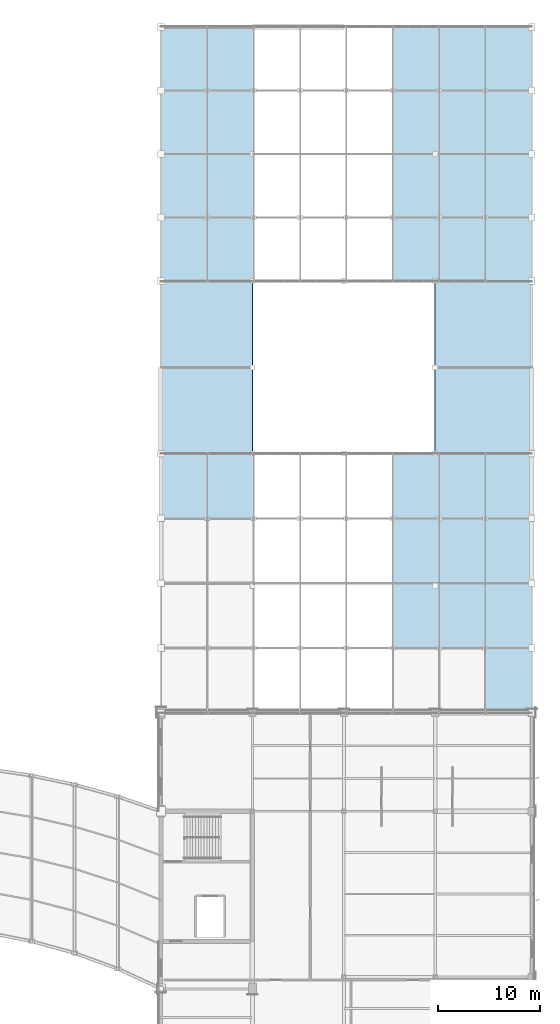
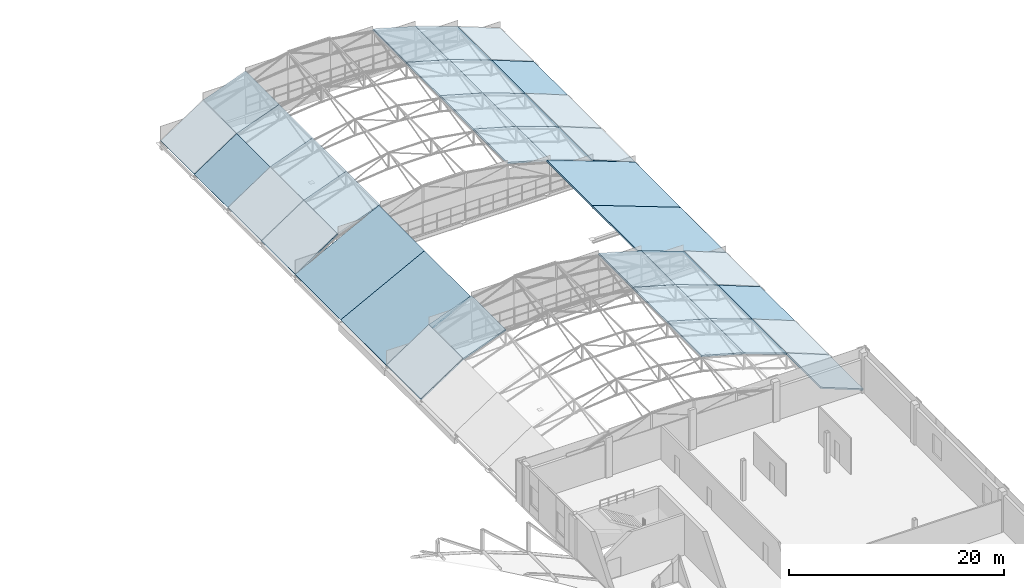
# One storey, part 87 of 101: 36 roofs.
"""IFC4 building model written with IfcOpenShell, lengths in metres."""

import ifcopenshell
import ifcopenshell.guid

model = None  # the IFC model being written
_history = None  # IfcOwnerHistory: only IFC2X3 demands one
_inside = {}  # id of a spatial element -> (the spatial element, [elements in it])
_under = {}  # id of a project, library or spatial element -> (it, [spatial elements below it])
_declared = {}  # id of a project -> (the project, [libraries it declares])
_typed = {}  # id of a type object -> (the type object, [elements of that type])
_made_of = {}  # id of a material, layer set ... -> (it, [elements and type objects made of it])


def new_model(schema):
    """Start an empty IFC model of exactly this schema.

    Asked for "IFC4X3", IfcOpenShell would pick the latest addendum, in which some entities
    have other attributes; the version numbers below select the first issue.
    IFC2X3 requires an IfcOwnerHistory on every rooted entity: one is made here for all.
    """
    global model, _history
    if schema == "IFC4X3":
        model = ifcopenshell.file(schema_version=(4, 3, 0, 0))
    else:
        model = ifcopenshell.file(schema=schema)
    _inside.clear()
    _under.clear()
    _declared.clear()
    _typed.clear()
    _made_of.clear()
    _history = None
    if model.schema == "IFC2X3":
        org = make("IfcOrganization", Name="unknown")
        user = make(
            "IfcPersonAndOrganization",
            ThePerson=make("IfcPerson", FamilyName="unknown"),
            TheOrganization=org,
        )
        app = make(
            "IfcApplication",
            ApplicationDeveloper=org,
            Version="unknown",
            ApplicationFullName="unknown",
            ApplicationIdentifier="unknown",
        )
        _history = make(
            "IfcOwnerHistory",
            OwningUser=user,
            OwningApplication=app,
            ChangeAction="ADDED",
            CreationDate=0,
        )
    return model


def make(cls, **values):
    """One entity of the class cls with the attributes given. An attribute that is None is left unset."""
    return model.create_entity(
        cls, **{name: value for name, value in values.items() if value is not None}
    )


def rooted(cls, **values):
    """An entity with a GlobalId (a new one), such as an element, a storey or a relation."""
    return make(cls, GlobalId=ifcopenshell.guid.new(), OwnerHistory=_history, **values)


def si_unit(unit_type, name, prefix=None):
    """IfcSIUnit, for example si_unit("LENGTHUNIT", "METRE", prefix="MILLI")."""
    return make("IfcSIUnit", UnitType=unit_type, Prefix=prefix, Name=name)


def assignment(units):
    """IfcUnitAssignment: the units of a project."""
    return None if units is None else make("IfcUnitAssignment", Units=units)


def point(xyz):
    """IfcCartesianPoint."""
    return None if xyz is None else make("IfcCartesianPoint", Coordinates=xyz)


def direction(xyz):
    """IfcDirection."""
    return None if xyz is None else make("IfcDirection", DirectionRatios=xyz)


def frame(location, z_axis=None, x_axis=None):
    """IfcAxis2Placement3D, a coordinate frame: its origin and axes. An axis left out is left unset."""
    return make(
        "IfcAxis2Placement3D",
        Location=point(location),
        Axis=direction(z_axis),
        RefDirection=direction(x_axis),
    )


def origin():
    """The frame at (0, 0, 0) with its axes left unset."""
    return frame((0.0, 0.0, 0.0))


def place(relative_to, where):
    """IfcLocalPlacement: puts the frame where relative to a parent placement (None: the world)."""
    return make(
        "IfcLocalPlacement", PlacementRelTo=relative_to, RelativePlacement=where
    )


def context(
    kind, dimensions, precision=None, world=None, true_north=None, identifier=None
):
    """IfcGeometricRepresentationContext, for example the 3D "Model" context."""
    return make(
        "IfcGeometricRepresentationContext",
        ContextIdentifier=identifier,
        ContextType=kind,
        CoordinateSpaceDimension=dimensions,
        Precision=precision,
        WorldCoordinateSystem=world,
        TrueNorth=true_north,
    )


def subcontext(parent, identifier, kind, view, scale=None):
    """IfcGeometricRepresentationSubContext, for example "Body" below "Model"."""
    return make(
        "IfcGeometricRepresentationSubContext",
        ContextIdentifier=identifier,
        ContextType=kind,
        ParentContext=parent,
        TargetScale=scale,
        TargetView=view,
    )


def project(units=None, contexts=None):
    """IfcProject with its units and contexts."""
    return rooted(
        "IfcProject",
        Name="project",
        RepresentationContexts=contexts,
        UnitsInContext=assignment(units),
    )


def spatial(cls, under=None, at=None, **own):
    """A site, building, storey or space (cls), placed at a placement, below another one or the project."""
    s = rooted(cls, ObjectPlacement=at, **own)
    if under is not None:
        _under.setdefault(under.id(), (under, []))[1].append(s)
    return s


def polyline(points):
    """IfcPolyline through the points."""
    return make("IfcPolyline", Points=[point(p) for p in points])


def outline(outer, holes=None, kind="AREA"):
    """IfcArbitraryClosedProfileDef: a profile drawn as a closed curve; with holes, ...WithVoids."""
    if holes is None:
        return make("IfcArbitraryClosedProfileDef", ProfileType=kind, OuterCurve=outer)
    return make(
        "IfcArbitraryProfileDefWithVoids",
        ProfileType=kind,
        OuterCurve=outer,
        InnerCurves=holes,
    )


def extrude(swept, where, along, depth):
    """IfcExtrudedAreaSolid: the profile swept, set in the frame where, extruded along a direction by depth."""
    return make(
        "IfcExtrudedAreaSolid",
        SweptArea=swept,
        Position=where,
        ExtrudedDirection=direction(along),
        Depth=depth,
    )


def shape(context_of_items, identifier, shape_type, items):
    """IfcShapeRepresentation: the items that make up one representation, for example the "Body"."""
    return make(
        "IfcShapeRepresentation",
        ContextOfItems=context_of_items,
        RepresentationIdentifier=identifier,
        RepresentationType=shape_type,
        Items=items,
    )


def material(Name=None, Category=None):
    """IfcMaterial."""
    return make("IfcMaterial", Name=Name, Category=Category)


def layer(
    of_material, thickness, ventilated=None, Name=None, Category=None, Priority=None
):
    """IfcMaterialLayer: one layer of a wall or slab, of a material (None: an air gap)."""
    return make(
        "IfcMaterialLayer",
        Material=of_material,
        LayerThickness=thickness,
        IsVentilated=ventilated,
        Name=Name,
        Category=Category,
        Priority=Priority,
    )


def layer_set(layers, Name=None):
    """IfcMaterialLayerSet."""
    return make("IfcMaterialLayerSet", MaterialLayers=layers, LayerSetName=Name)


def made_of(thing, what):
    """Note that an element or type object is made of a material, layer set ...; save() writes the relation."""
    if what is not None:
        _made_of.setdefault(what.id(), (what, []))[1].append(thing)
    return thing


def type_object(cls, material=None, **own):
    """A type object (cls), such as IfcWallType, which elements share."""
    return made_of(rooted(cls, **own), material)


def element(
    cls,
    number,
    at=None,
    inside=None,
    cuts=None,
    type_object=None,
    material=None,
    context=None,
    identifier="Body",
    shape_type=None,
    held_by="IfcProductDefinitionShape",
    body=None,
    shapes=None,
    **own,
):
    """One element of the class cls, such as IfcWall. Its Tag is "e" and its number.

    at: its placement. inside: the storey or other place that contains it. cuts: it is an
    opening in that element (IfcRelVoidsElement). A single representation is given by context,
    identifier, shape_type and body (its items); several are given by shapes. held_by: the class
    of the entity that holds the representations. save() writes the other relations.
    """
    e = rooted(cls, Tag="e%d" % number, ObjectPlacement=at, **own)
    if body is not None:
        shapes = [shape(context, identifier, shape_type, body)]
    if shapes is not None:
        e.Representation = make(held_by, Representations=shapes)
    if inside is not None:
        _inside.setdefault(inside.id(), (inside, []))[1].append(e)
    if cuts is not None:
        rooted(
            "IfcRelVoidsElement", RelatingBuildingElement=cuts, RelatedOpeningElement=e
        )
    if type_object is not None:
        _typed.setdefault(type_object.id(), (type_object, []))[1].append(e)
    return made_of(e, material)


def aggregate(whole, parts):
    """IfcRelAggregates: a whole, such as a stair, and the parts it consists of."""
    return rooted("IfcRelAggregates", RelatingObject=whole, RelatedObjects=parts)


def save(model, path):
    """Write the relations noted so far, then the file.

    IfcRelAggregates (storeys below a building ...), IfcRelContainedInSpatialStructure (elements
    in a storey), IfcRelDefinesByType, IfcRelAssociatesMaterial and IfcRelDeclares: one each for
    every whole, place, type object, material and project.
    """
    for whole, parts in _under.values():
        aggregate(whole, parts)
    for where, things in _inside.values():
        rooted(
            "IfcRelContainedInSpatialStructure",
            RelatedElements=things,
            RelatingStructure=where,
        )
    for kind, things in _typed.values():
        rooted("IfcRelDefinesByType", RelatedObjects=things, RelatingType=kind)
    for what, things in _made_of.values():
        rooted("IfcRelAssociatesMaterial", RelatedObjects=things, RelatingMaterial=what)
    for by, libraries in _declared.values():
        rooted("IfcRelDeclares", RelatingContext=by, RelatedDefinitions=libraries)
    model.write(path)


model = new_model("IFC4")

# Units and contexts
model_context = context("Model", 3, precision=1e-05, world=origin(), true_north=direction((0.0, 1.0)))
body_context = subcontext(model_context, "Body", "Model", "MODEL_VIEW")
ifc_project = project(units=[si_unit("LENGTHUNIT", "METRE"), si_unit("AREAUNIT", "SQUARE_METRE"), si_unit("VOLUMEUNIT", "CUBIC_METRE"), si_unit("PLANEANGLEUNIT", "RADIAN"), si_unit("MASSUNIT", "GRAM", prefix="KILO")], contexts=[model_context])

# Site, building, storey
site_placement = place(None, origin())
site = spatial("IfcSite", under=ifc_project, at=site_placement, CompositionType="ELEMENT")
building_placement = place(site_placement, origin())
building = spatial("IfcBuilding", under=site, at=building_placement, Name="Solvikara Media Centre", CompositionType="ELEMENT")
storey_placement = place(building_placement, frame((0.0, 0.0, 10.199951171875)))
storey = spatial("IfcBuildingStorey", under=building, at=storey_placement, Name="L02", CompositionType="ELEMENT", Elevation=10.199951171875)

# Roofs
ifc_material = material(Name="Insulated standing-seam aluminium-zinc acoustic roofing", Category="aluminium")
ifc_layer = layer(ifc_material, 0.159912109375)
ifc_layer_set = layer_set([ifc_layer], Name="Insulated standing-seam aluminium-zinc acoustic roofing")
roof_type = type_object("IfcRoofType", Name="RF-02", PredefinedType="GABLE_ROOF", material=ifc_layer_set)
roof_1_placement = place(storey_placement, frame((159.43798828125, 46.5, 1.991943359375), z_axis=(0.365612303173, 0.0, 0.930767233936), x_axis=(0.930767233936, 0.0, -0.365612303173)))
element("IfcRoof", 1, at=roof_1_placement, inside=storey, type_object=roof_type, Name="RF-BSA-00-07", PredefinedType="GABLE_ROOF", context=body_context, shape_type="SweptSolid", body=[
    extrude(outline(polyline([(0.0, 0.0), (4.901345419583624, 0.0), (4.901345419583624, 6.375), (0.0, 6.375), (0.0, 0.0)])), origin(), (0.0, 0.0, -1.0), 0.159912109375),
])
roof_2_placement = place(storey_placement, frame((150.31201171875, 52.875, 4.927001953125), z_axis=(0.272626398556, 0.0, 0.962119975268), x_axis=(0.962119975268, 0.0, -0.272626398556)))
element("IfcRoof", 2, at=roof_2_placement, inside=storey, type_object=roof_type, Name="RF-BSA-01-05", PredefinedType="GABLE_ROOF", context=body_context, shape_type="SweptSolid", body=[
    extrude(outline(polyline([(0.0, 0.0), (4.7426395860640085, 0.0), (4.7426395860640085, 6.375), (0.0, 6.375), (0.0, 0.0)])), origin(), (0.0, 0.0, -1.0), 0.159912109375),
])
roof_3_placement = place(storey_placement, frame((154.875, 52.875, 3.634033203125), z_axis=(0.338612503303, 0.0, 0.94092591239), x_axis=(0.94092591239, 0.0, -0.338612503303)))
element("IfcRoof", 3, at=roof_3_placement, inside=storey, type_object=roof_type, Name="RF-BSA-01-06", PredefinedType="GABLE_ROOF", context=body_context, shape_type="SweptSolid", body=[
    extrude(outline(polyline([(0.0, 0.0), (4.849466064400464, 0.0), (4.849466064400464, 6.375), (0.0, 6.375), (0.0, 0.0)])), origin(), (0.0, 0.0, -1.0), 0.159912109375),
])
roof_4_placement = place(storey_placement, frame((159.43798828125, 52.875, 1.991943359375), z_axis=(0.365612303173, 0.0, 0.930767233936), x_axis=(0.930767233936, 0.0, -0.365612303173)))
element("IfcRoof", 4, at=roof_4_placement, inside=storey, type_object=roof_type, Name="RF-BSA-01-07", PredefinedType="GABLE_ROOF", context=body_context, shape_type="SweptSolid", body=[
    extrude(outline(polyline([(0.0, 0.0), (4.901345419583624, 0.0), (4.901345419583624, 6.375), (0.0, 6.375), (0.0, 0.0)])), origin(), (0.0, 0.0, -1.0), 0.159912109375),
])
roof_5_placement = place(storey_placement, frame((150.31201171875, 59.25, 4.927001953125), z_axis=(0.272626398556, 0.0, 0.962119975268), x_axis=(0.962119975268, 0.0, -0.272626398556)))
element("IfcRoof", 5, at=roof_5_placement, inside=storey, type_object=roof_type, Name="RF-BSA-02-05", PredefinedType="GABLE_ROOF", context=body_context, shape_type="SweptSolid", body=[
    extrude(outline(polyline([(0.0, 0.0), (4.7426395860640085, 0.0), (4.7426395860640085, 6.375), (0.0, 6.375), (0.0, 0.0)])), origin(), (0.0, 0.0, -1.0), 0.159912109375),
])
roof_6_placement = place(storey_placement, frame((154.875, 59.25, 3.634033203125), z_axis=(0.338612503303, 0.0, 0.94092591239), x_axis=(0.94092591239, 0.0, -0.338612503303)))
element("IfcRoof", 6, at=roof_6_placement, inside=storey, type_object=roof_type, Name="RF-BSA-02-06", PredefinedType="GABLE_ROOF", context=body_context, shape_type="SweptSolid", body=[
    extrude(outline(polyline([(0.0, 0.0), (4.849466064400464, 0.0), (4.849466064400464, 6.375), (0.0, 6.375), (0.0, 0.0)])), origin(), (0.0, 0.0, -1.0), 0.159912109375),
])
roof_7_placement = place(storey_placement, frame((159.43798828125, 59.25, 1.991943359375), z_axis=(0.365612303173, 0.0, 0.930767233936), x_axis=(0.930767233936, 0.0, -0.365612303173)))
element("IfcRoof", 7, at=roof_7_placement, inside=storey, type_object=roof_type, Name="RF-BSA-02-07", PredefinedType="GABLE_ROOF", context=body_context, shape_type="SweptSolid", body=[
    extrude(outline(polyline([(0.0, 0.0), (4.901345419583624, 0.0), (4.901345419583624, 6.375), (0.0, 6.375), (0.0, 0.0)])), origin(), (0.0, 0.0, -1.0), 0.159912109375),
])
roof_8_placement = place(storey_placement, frame((127.5, 65.625, 0.199951171875), z_axis=(-0.552774199912, 0.0, 0.833331077011), x_axis=(0.833331077011, 0.0, 0.552774199912)))
element("IfcRoof", 8, at=roof_8_placement, inside=storey, type_object=roof_type, Name="RF-BSA-03-00", PredefinedType="GABLE_ROOF", context=body_context, shape_type="SweptSolid", body=[
    extrude(outline(polyline([(0.0, 0.0), (5.474428884992513, 0.0), (5.474428884992513, 6.375000000000002), (0.0, 6.375000000000002), (0.0, 0.0)])), origin(), (0.0, 0.0, -1.0), 0.159912109375),
])
roof_9_placement = place(storey_placement, frame((132.06201171875, 65.625, 3.22607421875), z_axis=(-0.350914788699, 0.0, 0.936407395887), x_axis=(0.936407395887, 0.0, 0.350914788699)))
element("IfcRoof", 9, at=roof_9_placement, inside=storey, type_object=roof_type, Name="RF-BSA-03-01", PredefinedType="GABLE_ROOF", context=body_context, shape_type="SweptSolid", body=[
    extrude(outline(polyline([(0.0, 0.0), (4.872866554975697, 0.0), (4.872866554975697, 6.375), (0.0, 6.375), (0.0, 0.0)])), origin(), (0.0, 0.0, -1.0), 0.159912109375),
])
roof_10_placement = place(storey_placement, frame((150.31201171875, 65.625, 4.927001953125), z_axis=(0.272626398556, 0.0, 0.962119975268), x_axis=(0.962119975268, 0.0, -0.272626398556)))
element("IfcRoof", 10, at=roof_10_placement, inside=storey, type_object=roof_type, Name="RF-BSA-03-05", PredefinedType="GABLE_ROOF", context=body_context, shape_type="SweptSolid", body=[
    extrude(outline(polyline([(0.0, 0.0), (4.7426395860640085, 0.0), (4.7426395860640085, 6.375), (0.0, 6.375), (0.0, 0.0)])), origin(), (0.0, 0.0, -1.0), 0.159912109375),
])
roof_11_placement = place(storey_placement, frame((154.875, 65.625, 3.634033203125), z_axis=(0.338612503303, 0.0, 0.94092591239), x_axis=(0.94092591239, 0.0, -0.338612503303)))
element("IfcRoof", 11, at=roof_11_placement, inside=storey, type_object=roof_type, Name="RF-BSA-03-06", PredefinedType="GABLE_ROOF", context=body_context, shape_type="SweptSolid", body=[
    extrude(outline(polyline([(0.0, 0.0), (4.849466064400464, 0.0), (4.849466064400464, 6.375), (0.0, 6.375), (0.0, 0.0)])), origin(), (0.0, 0.0, -1.0), 0.159912109375),
])
roof_12_placement = place(storey_placement, frame((159.43798828125, 65.625, 1.991943359375), z_axis=(0.365612303173, 0.0, 0.930767233936), x_axis=(0.930767233936, 0.0, -0.365612303173)))
element("IfcRoof", 12, at=roof_12_placement, inside=storey, type_object=roof_type, Name="RF-BSA-03-07", PredefinedType="GABLE_ROOF", context=body_context, shape_type="SweptSolid", body=[
    extrude(outline(polyline([(0.0, 0.0), (4.901345419583624, 0.0), (4.901345419583624, 6.375), (0.0, 6.375), (0.0, 0.0)])), origin(), (0.0, 0.0, -1.0), 0.159912109375),
])
roof_13_placement = place(storey_placement, frame((127.5, 89.0, 0.199951171875), z_axis=(-0.552774199912, 0.0, 0.833331077011), x_axis=(0.833331077011, 0.0, 0.552774199912)))
element("IfcRoof", 13, at=roof_13_placement, inside=storey, type_object=roof_type, Name="RF-BSB-00-00", PredefinedType="GABLE_ROOF", context=body_context, shape_type="SweptSolid", body=[
    extrude(outline(polyline([(0.0, 0.0), (5.474428884992513, 0.0), (5.474428884992513, 6.250000000000002), (0.0, 6.250000000000002), (0.0, 0.0)])), origin(), (0.0, 0.0, -1.0), 0.159912109375),
])
roof_14_placement = place(storey_placement, frame((132.06201171875, 89.0, 3.22607421875), z_axis=(-0.350914788699, 0.0, 0.936407395887), x_axis=(0.936407395887, 0.0, 0.350914788699)))
element("IfcRoof", 14, at=roof_14_placement, inside=storey, type_object=roof_type, Name="RF-BSB-00-01", PredefinedType="GABLE_ROOF", context=body_context, shape_type="SweptSolid", body=[
    extrude(outline(polyline([(0.0, 0.0), (4.872866554975697, 0.0), (4.872866554975697, 6.25), (0.0, 6.25), (0.0, 0.0)])), origin(), (0.0, 0.0, -1.0), 0.159912109375),
])
roof_15_placement = place(storey_placement, frame((150.31201171875, 89.0, 4.927001953125), z_axis=(0.272626398556, 0.0, 0.962119975268), x_axis=(0.962119975268, 0.0, -0.272626398556)))
element("IfcRoof", 15, at=roof_15_placement, inside=storey, type_object=roof_type, Name="RF-BSB-00-05", PredefinedType="GABLE_ROOF", context=body_context, shape_type="SweptSolid", body=[
    extrude(outline(polyline([(0.0, 0.0), (4.7426395860640085, 0.0), (4.7426395860640085, 6.25), (0.0, 6.25), (0.0, 0.0)])), origin(), (0.0, 0.0, -1.0), 0.159912109375),
])
roof_16_placement = place(storey_placement, frame((154.875, 89.0, 3.634033203125), z_axis=(0.338612503303, 0.0, 0.94092591239), x_axis=(0.94092591239, 0.0, -0.338612503303)))
element("IfcRoof", 16, at=roof_16_placement, inside=storey, type_object=roof_type, Name="RF-BSB-00-06", PredefinedType="GABLE_ROOF", context=body_context, shape_type="SweptSolid", body=[
    extrude(outline(polyline([(0.0, 0.0), (4.849466064400464, 0.0), (4.849466064400464, 6.25), (0.0, 6.25), (0.0, 0.0)])), origin(), (0.0, 0.0, -1.0), 0.159912109375),
])
roof_17_placement = place(storey_placement, frame((159.43798828125, 89.0, 1.991943359375), z_axis=(0.365612303173, 0.0, 0.930767233936), x_axis=(0.930767233936, 0.0, -0.365612303173)))
element("IfcRoof", 17, at=roof_17_placement, inside=storey, type_object=roof_type, Name="RF-BSB-00-07", PredefinedType="GABLE_ROOF", context=body_context, shape_type="SweptSolid", body=[
    extrude(outline(polyline([(0.0, 0.0), (4.901345419583624, 0.0), (4.901345419583624, 6.25), (0.0, 6.25), (0.0, 0.0)])), origin(), (0.0, 0.0, -1.0), 0.159912109375),
])
roof_18_placement = place(storey_placement, frame((127.5, 95.25, 0.199951171875), z_axis=(-0.552774199912, 0.0, 0.833331077011), x_axis=(0.833331077011, 0.0, 0.552774199912)))
element("IfcRoof", 18, at=roof_18_placement, inside=storey, type_object=roof_type, Name="RF-BSB-01-00", PredefinedType="GABLE_ROOF", context=body_context, shape_type="SweptSolid", body=[
    extrude(outline(polyline([(0.0, 0.0), (5.474428884992513, 0.0), (5.474428884992513, 6.250000000000002), (0.0, 6.250000000000002), (0.0, 0.0)])), origin(), (0.0, 0.0, -1.0), 0.159912109375),
])
roof_19_placement = place(storey_placement, frame((132.06201171875, 95.25, 3.22607421875), z_axis=(-0.350914788699, 0.0, 0.936407395887), x_axis=(0.936407395887, 0.0, 0.350914788699)))
element("IfcRoof", 19, at=roof_19_placement, inside=storey, type_object=roof_type, Name="RF-BSB-01-01", PredefinedType="GABLE_ROOF", context=body_context, shape_type="SweptSolid", body=[
    extrude(outline(polyline([(0.0, 0.0), (4.872866554975697, 0.0), (4.872866554975697, 6.25), (0.0, 6.25), (0.0, 0.0)])), origin(), (0.0, 0.0, -1.0), 0.159912109375),
])
roof_20_placement = place(storey_placement, frame((150.31201171875, 95.25, 4.927001953125), z_axis=(0.272626398556, 0.0, 0.962119975268), x_axis=(0.962119975268, 0.0, -0.272626398556)))
element("IfcRoof", 20, at=roof_20_placement, inside=storey, type_object=roof_type, Name="RF-BSB-01-05", PredefinedType="GABLE_ROOF", context=body_context, shape_type="SweptSolid", body=[
    extrude(outline(polyline([(0.0, 0.0), (4.7426395860640085, 0.0), (4.7426395860640085, 6.25), (0.0, 6.25), (0.0, 0.0)])), origin(), (0.0, 0.0, -1.0), 0.159912109375),
])
roof_21_placement = place(storey_placement, frame((154.875, 95.25, 3.634033203125), z_axis=(0.338612503303, 0.0, 0.94092591239), x_axis=(0.94092591239, 0.0, -0.338612503303)))
element("IfcRoof", 21, at=roof_21_placement, inside=storey, type_object=roof_type, Name="RF-BSB-01-06", PredefinedType="GABLE_ROOF", context=body_context, shape_type="SweptSolid", body=[
    extrude(outline(polyline([(0.0, 0.0), (4.849466064400464, 0.0), (4.849466064400464, 6.25), (0.0, 6.25), (0.0, 0.0)])), origin(), (0.0, 0.0, -1.0), 0.159912109375),
])
roof_22_placement = place(storey_placement, frame((159.43798828125, 95.25, 1.991943359375), z_axis=(0.365612303173, 0.0, 0.930767233936), x_axis=(0.930767233936, 0.0, -0.365612303173)))
element("IfcRoof", 22, at=roof_22_placement, inside=storey, type_object=roof_type, Name="RF-BSB-01-07", PredefinedType="GABLE_ROOF", context=body_context, shape_type="SweptSolid", body=[
    extrude(outline(polyline([(0.0, 0.0), (4.901345419583624, 0.0), (4.901345419583624, 6.25), (0.0, 6.25), (0.0, 0.0)])), origin(), (0.0, 0.0, -1.0), 0.159912109375),
])
roof_23_placement = place(storey_placement, frame((127.5, 101.5, 0.199951171875), z_axis=(-0.552774199912, 0.0, 0.833331077011), x_axis=(0.833331077011, 0.0, 0.552774199912)))
element("IfcRoof", 23, at=roof_23_placement, inside=storey, type_object=roof_type, Name="RF-BSB-02-00", PredefinedType="GABLE_ROOF", context=body_context, shape_type="SweptSolid", body=[
    extrude(outline(polyline([(0.0, 0.0), (5.474428884992513, 0.0), (5.474428884992513, 6.250000000000002), (0.0, 6.250000000000002), (0.0, 0.0)])), origin(), (0.0, 0.0, -1.0), 0.159912109375),
])
roof_24_placement = place(storey_placement, frame((132.06201171875, 101.5, 3.22607421875), z_axis=(-0.350914788699, 0.0, 0.936407395887), x_axis=(0.936407395887, 0.0, 0.350914788699)))
element("IfcRoof", 24, at=roof_24_placement, inside=storey, type_object=roof_type, Name="RF-BSB-02-01", PredefinedType="GABLE_ROOF", context=body_context, shape_type="SweptSolid", body=[
    extrude(outline(polyline([(0.0, 0.0), (4.872866554975697, 0.0), (4.872866554975697, 6.25), (0.0, 6.25), (0.0, 0.0)])), origin(), (0.0, 0.0, -1.0), 0.159912109375),
])
roof_25_placement = place(storey_placement, frame((150.31201171875, 101.5, 4.927001953125), z_axis=(0.272626398556, 0.0, 0.962119975268), x_axis=(0.962119975268, 0.0, -0.272626398556)))
element("IfcRoof", 25, at=roof_25_placement, inside=storey, type_object=roof_type, Name="RF-BSB-02-05", PredefinedType="GABLE_ROOF", context=body_context, shape_type="SweptSolid", body=[
    extrude(outline(polyline([(0.0, 0.0), (4.7426395860640085, 0.0), (4.7426395860640085, 6.25), (0.0, 6.25), (0.0, 0.0)])), origin(), (0.0, 0.0, -1.0), 0.159912109375),
])
roof_26_placement = place(storey_placement, frame((154.875, 101.5, 3.634033203125), z_axis=(0.338612503303, 0.0, 0.94092591239), x_axis=(0.94092591239, 0.0, -0.338612503303)))
element("IfcRoof", 26, at=roof_26_placement, inside=storey, type_object=roof_type, Name="RF-BSB-02-06", PredefinedType="GABLE_ROOF", context=body_context, shape_type="SweptSolid", body=[
    extrude(outline(polyline([(0.0, 0.0), (4.849466064400464, 0.0), (4.849466064400464, 6.25), (0.0, 6.25), (0.0, 0.0)])), origin(), (0.0, 0.0, -1.0), 0.159912109375),
])
roof_27_placement = place(storey_placement, frame((159.43798828125, 101.5, 1.991943359375), z_axis=(0.365612303173, 0.0, 0.930767233936), x_axis=(0.930767233936, 0.0, -0.365612303173)))
element("IfcRoof", 27, at=roof_27_placement, inside=storey, type_object=roof_type, Name="RF-BSB-02-07", PredefinedType="GABLE_ROOF", context=body_context, shape_type="SweptSolid", body=[
    extrude(outline(polyline([(0.0, 0.0), (4.901345419583624, 0.0), (4.901345419583624, 6.25), (0.0, 6.25), (0.0, 0.0)])), origin(), (0.0, 0.0, -1.0), 0.159912109375),
])
roof_28_placement = place(storey_placement, frame((127.5, 107.75, 0.199951171875), z_axis=(-0.552774199912, 0.0, 0.833331077011), x_axis=(0.833331077011, 0.0, 0.552774199912)))
element("IfcRoof", 28, at=roof_28_placement, inside=storey, type_object=roof_type, Name="RF-BSB-03-00", PredefinedType="GABLE_ROOF", context=body_context, shape_type="SweptSolid", body=[
    extrude(outline(polyline([(0.0, 0.0), (5.474428884992513, 0.0), (5.474428884992513, 6.250000000000002), (0.0, 6.250000000000002), (0.0, 0.0)])), origin(), (0.0, 0.0, -1.0), 0.159912109375),
])
roof_29_placement = place(storey_placement, frame((132.06201171875, 107.75, 3.22607421875), z_axis=(-0.350914788699, 0.0, 0.936407395887), x_axis=(0.936407395887, 0.0, 0.350914788699)))
element("IfcRoof", 29, at=roof_29_placement, inside=storey, type_object=roof_type, Name="RF-BSB-03-01", PredefinedType="GABLE_ROOF", context=body_context, shape_type="SweptSolid", body=[
    extrude(outline(polyline([(0.0, 0.0), (4.872866554975697, 0.0), (4.872866554975697, 6.25), (0.0, 6.25), (0.0, 0.0)])), origin(), (0.0, 0.0, -1.0), 0.159912109375),
])
roof_30_placement = place(storey_placement, frame((150.31201171875, 107.75, 4.927001953125), z_axis=(0.272626398556, 0.0, 0.962119975268), x_axis=(0.962119975268, 0.0, -0.272626398556)))
element("IfcRoof", 30, at=roof_30_placement, inside=storey, type_object=roof_type, Name="RF-BSB-03-05", PredefinedType="GABLE_ROOF", context=body_context, shape_type="SweptSolid", body=[
    extrude(outline(polyline([(0.0, 0.0), (4.7426395860640085, 0.0), (4.7426395860640085, 6.25), (0.0, 6.25), (0.0, 0.0)])), origin(), (0.0, 0.0, -1.0), 0.159912109375),
])
roof_31_placement = place(storey_placement, frame((154.875, 107.75, 3.634033203125), z_axis=(0.338612503303, 0.0, 0.94092591239), x_axis=(0.94092591239, 0.0, -0.338612503303)))
element("IfcRoof", 31, at=roof_31_placement, inside=storey, type_object=roof_type, Name="RF-BSB-03-06", PredefinedType="GABLE_ROOF", context=body_context, shape_type="SweptSolid", body=[
    extrude(outline(polyline([(0.0, 0.0), (4.849466064400464, 0.0), (4.849466064400464, 6.25), (0.0, 6.25), (0.0, 0.0)])), origin(), (0.0, 0.0, -1.0), 0.159912109375),
])
roof_32_placement = place(storey_placement, frame((159.43798828125, 107.75, 1.991943359375), z_axis=(0.365612303173, 0.0, 0.930767233936), x_axis=(0.930767233936, 0.0, -0.365612303173)))
element("IfcRoof", 32, at=roof_32_placement, inside=storey, type_object=roof_type, Name="RF-BSB-03-07", PredefinedType="GABLE_ROOF", context=body_context, shape_type="SweptSolid", body=[
    extrude(outline(polyline([(0.0, 0.0), (4.901345419583624, 0.0), (4.901345419583624, 6.25), (0.0, 6.25), (0.0, 0.0)])), origin(), (0.0, 0.0, -1.0), 0.159912109375),
])
for number, where, z_axis, x_axis, name in (
    (33, (127.5, 72.0, 0.199951171875), (-0.46306879963, 0.0, 0.886322337984), (0.886322337984, 0.0, 0.46306879963), "RF-BSW-00"),
    (34, (127.5, 80.5, 0.199951171875), (-0.46306879963, 0.0, 0.886322337984), (0.886322337984, 0.0, 0.46306879963), "RF-BSW-01"),
):
    element("IfcRoof", number, at=place(storey_placement, frame(where, z_axis=z_axis, x_axis=x_axis)), inside=storey, type_object=roof_type, Name=name, PredefinedType="GABLE_ROOF", context=body_context, shape_type="SweptSolid", body=[
        extrude(outline(polyline([(0.0, 0.0), (10.154319274490225, 0.0), (10.154319274490225, 8.499999999999998), (0.0, 8.499999999999998), (0.0, 0.0)])), origin(), (0.0, 0.0, -1.0), 0.159912109375),
    ])
for number, where, z_axis, x_axis, name in (
    (35, (154.5, 72.0, 3.756103515625), (0.350574762367, 0.0, 0.93653474895), (0.93653474895, 0.0, -0.350574762367), "RF-BSE-00"),
    (36, (154.5, 80.5, 3.756103515625), (0.350574762367, 0.0, 0.93653474895), (0.93653474895, 0.0, -0.350574762367), "RF-BSE-01"),
):
    element("IfcRoof", number, at=place(storey_placement, frame(where, z_axis=z_axis, x_axis=x_axis)), inside=storey, type_object=roof_type, Name=name, PredefinedType="GABLE_ROOF", context=body_context, shape_type="SweptSolid", body=[
        extrude(outline(polyline([(0.0, 0.0), (10.14377737787845, 0.0), (10.14377737787845, 8.5), (0.0, 8.5), (0.0, 0.0)])), origin(), (0.0, 0.0, -1.0), 0.159912109375),
    ])

save(model, "model.ifc")
